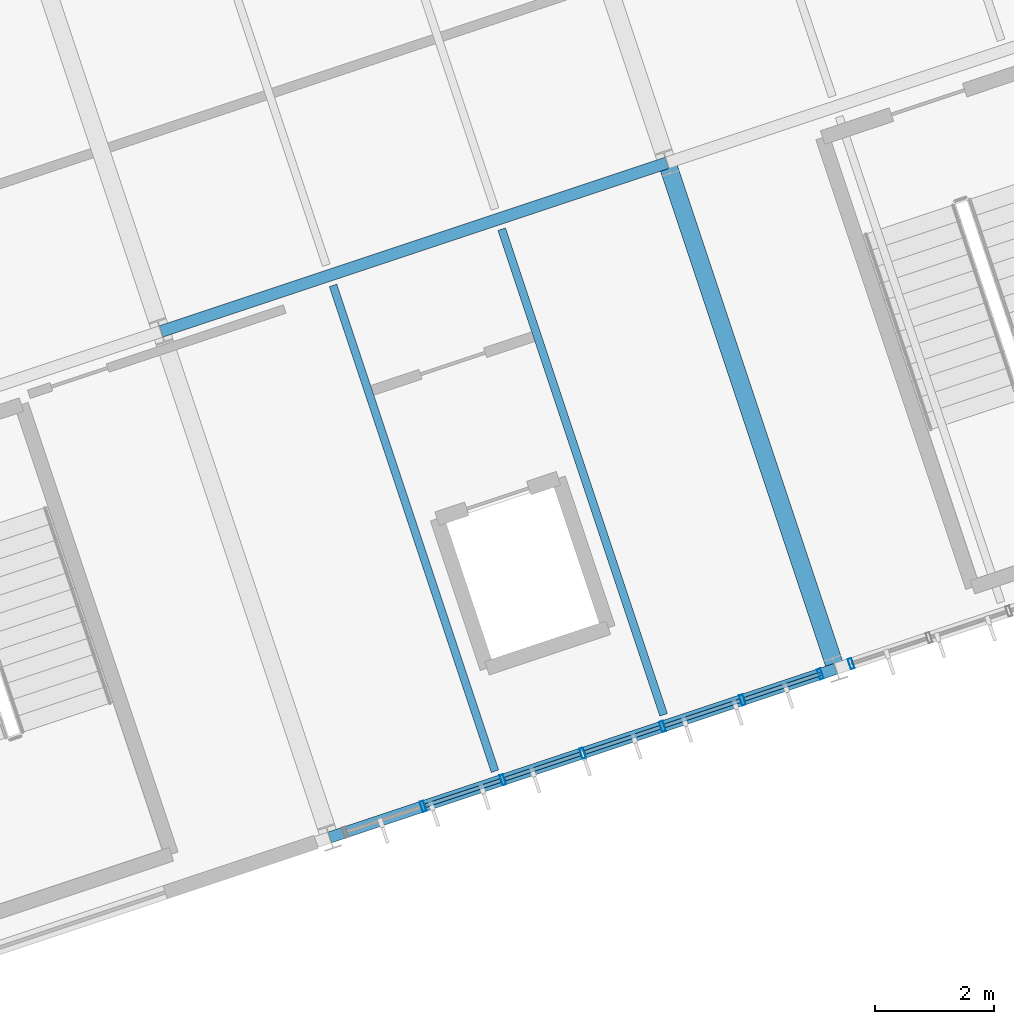
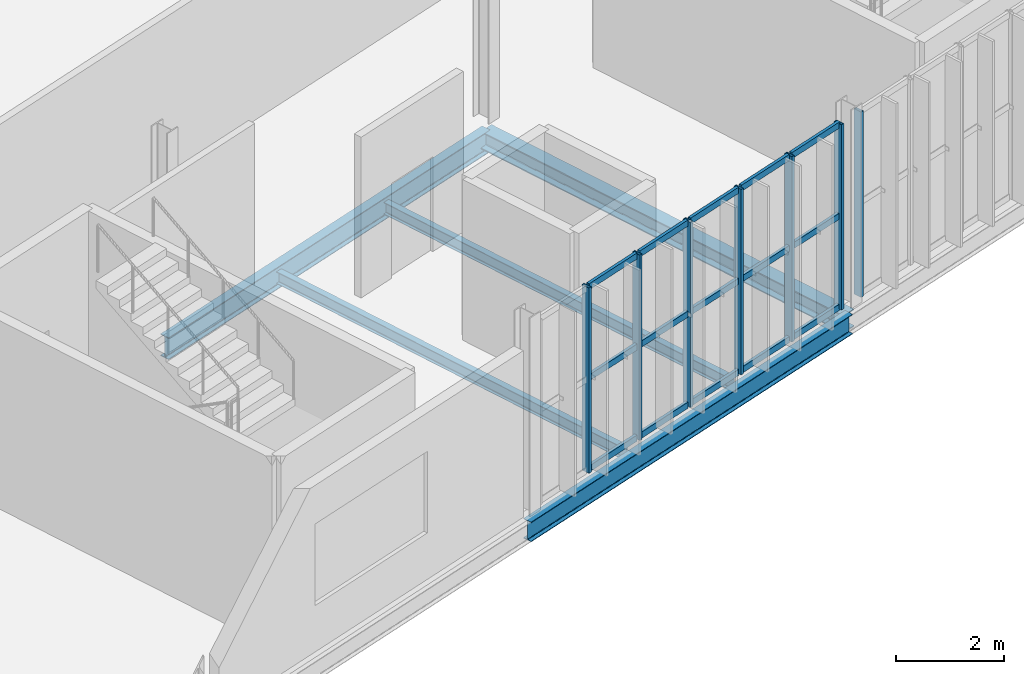
# One storey, part 31 of 152: 22 members, 5 beams, 2 elements without a shape of their own.
"""IFC4 building model written with IfcOpenShell, lengths in metres."""

from ifc_helpers import new_model, si_unit, derived_unit, direction, frame, origin, origin_2d, place, context, subcontext, project, spatial, hollow_rectangle, i_section, extrude, material, material_profile, profile_set, type_object, element, aggregate, save


model = new_model("IFC4")

# Units and contexts
model_context = context("Model", 3, precision=1e-05, world=origin(), true_north=direction((0.0, 1.0)))
body_context = subcontext(model_context, "Body", "Model", "MODEL_VIEW")
ifc_project = project(units=[si_unit("LENGTHUNIT", "METRE"), si_unit("AREAUNIT", "SQUARE_METRE"), si_unit("VOLUMEUNIT", "CUBIC_METRE"), si_unit("PLANEANGLEUNIT", "RADIAN"), si_unit("MASSUNIT", "GRAM", prefix="KILO"), si_unit("THERMODYNAMICTEMPERATUREUNIT", "KELVIN"), si_unit("TIMEUNIT", "SECOND"), derived_unit("THERMALTRANSMITTANCEUNIT", [(si_unit("MASSUNIT", "GRAM", prefix="KILO"), 1), (si_unit("THERMODYNAMICTEMPERATUREUNIT", "KELVIN"), -1), (si_unit("TIMEUNIT", "SECOND"), -3)])], contexts=[model_context])

# Site, building, storey
site_placement = place(None, origin())
site = spatial("IfcSite", under=ifc_project, at=site_placement, CompositionType="ELEMENT")
building_placement = place(site_placement, origin())
building = spatial("IfcBuilding", under=site, at=building_placement, Name="Cambertide Market Hall", CompositionType="ELEMENT")
storey_placement = place(building_placement, frame((0.0, 0.0, 5.39990234375)))
storey = spatial("IfcBuildingStorey", under=building, at=storey_placement, Name="L02", CompositionType="ELEMENT", Elevation=5.39990234375)

# Curtain wall, members
ifc_material_1 = material(Name="Marine Anodized Aluminium 6063-T6 AA25", Category="aluminium")
curtain_wall_type = type_object("IfcCurtainWallType", Name="Food Court Upper Glazed Facade", PredefinedType="USERDEFINED", material=ifc_material_1)
curtain_wall_1_placement = place(storey_placement, origin())
curtain_wall_1 = element("IfcCurtainWall", 1, at=curtain_wall_1_placement, inside=storey, type_object=curtain_wall_type, Name="Level 2 Curtain Wall CW-V3S-L02-3", ObjectType="UNITIZED CURTAIN WALL", PredefinedType="USERDEFINED")
ifc_material_2 = material(Name="Champagne Marine Anodized Aluminium 6063-T6 AA25", Category="aluminium")
ifc_material_profile_1 = material_profile(ifc_material_2, hollow_rectangle(XDim=0.06494140625, YDim=0.179931640625, WallThickness=0.00390625, at=origin_2d()), Name="ALU MULLION 65x180")
ifc_profile_set_1 = profile_set([ifc_material_profile_1], Name="Champagne Marine Anodized Aluminium 6063-T6 AA25")
member_type_1 = type_object("IfcMemberType", Name="Curtain Wall Mullion ALU MULLION 65x180", PredefinedType="MULLION", material=ifc_profile_set_1)
member_1_placement = place(storey_placement, frame((131.353515625, 20.451171875, 0.0), z_axis=(0.0, 0.0, 1.0), x_axis=(-0.948683286311, -0.316227801236, 0.0)))
member_1 = element("IfcMember", 2, at=member_1_placement, type_object=member_type_1, Name="CW-V3S-L02-3 Mullion 1", PredefinedType="MULLION", context=body_context, shape_type="SweptSolid", body=[
    extrude(hollow_rectangle(XDim=0.06494140625, YDim=0.179931640625, WallThickness=0.00390625, at=origin_2d()), origin(), (0.0, 0.0, 1.0), 4.2001953125),
])
member_2_placement = place(storey_placement, frame((130.03955078125, 20.01318359375, 0.0), z_axis=(0.0, 0.0, 1.0), x_axis=(-0.948683286311, -0.316227801236, 0.0)))
member_2 = element("IfcMember", 3, at=member_2_placement, type_object=member_type_1, Name="CW-V3S-L02-3 Mullion 2", PredefinedType="MULLION", context=body_context, shape_type="SweptSolid", body=[
    extrude(hollow_rectangle(XDim=0.06494140625, YDim=0.179931640625, WallThickness=0.00390625, at=origin_2d()), origin(), (0.0, 0.0, 1.0), 4.2001953125),
])
member_3_placement = place(storey_placement, frame((128.6923828125, 19.564208984375, 0.0), z_axis=(0.0, 0.0, 1.0), x_axis=(-0.948683286311, -0.316227801236, 0.0)))
member_3 = element("IfcMember", 4, at=member_3_placement, type_object=member_type_1, Name="CW-V3S-L02-3 Mullion 3", PredefinedType="MULLION", context=body_context, shape_type="SweptSolid", body=[
    extrude(hollow_rectangle(XDim=0.06494140625, YDim=0.179931640625, WallThickness=0.00390625, at=origin_2d()), origin(), (0.0, 0.0, 1.0), 4.2001953125),
])
member_4_placement = place(storey_placement, frame((127.345458984375, 19.115234375, 0.0), z_axis=(0.0, 0.0, 1.0), x_axis=(-0.948683286311, -0.316227801236, 0.0)))
member_4 = element("IfcMember", 5, at=member_4_placement, type_object=member_type_1, Name="CW-V3S-L02-3 Mullion 4", PredefinedType="MULLION", context=body_context, shape_type="SweptSolid", body=[
    extrude(hollow_rectangle(XDim=0.06494140625, YDim=0.179931640625, WallThickness=0.00390625, at=origin_2d()), origin(), (0.0, 0.0, 1.0), 4.2001953125),
])
member_5_placement = place(storey_placement, frame((125.998291015625, 18.666015625, 0.0), z_axis=(0.0, 0.0, 1.0), x_axis=(-0.948683286311, -0.316227801236, 0.0)))
member_5 = element("IfcMember", 6, at=member_5_placement, type_object=member_type_1, Name="CW-V3S-L02-3 Mullion 5", PredefinedType="MULLION", context=body_context, shape_type="SweptSolid", body=[
    extrude(hollow_rectangle(XDim=0.06494140625, YDim=0.179931640625, WallThickness=0.00390625, at=origin_2d()), origin(), (0.0, 0.0, 1.0), 4.2001953125),
])
member_6_placement = place(storey_placement, frame((124.651123046875, 18.217041015625, 0.0), z_axis=(0.0, 0.0, 1.0), x_axis=(-0.948683286311, -0.316227801236, 0.0)))
member_6 = element("IfcMember", 7, at=member_6_placement, type_object=member_type_1, Name="CW-V3S-L02-3 Mullion 6", PredefinedType="MULLION", context=body_context, shape_type="SweptSolid", body=[
    extrude(hollow_rectangle(XDim=0.06494140625, YDim=0.179931640625, WallThickness=0.00390625, at=origin_2d()), origin(), (0.0, 0.0, 1.0), 4.2001953125),
])

# Curtain wall, member
curtain_wall_2_placement = place(storey_placement, origin())
curtain_wall_2 = element("IfcCurtainWall", 8, at=curtain_wall_2_placement, inside=storey, type_object=curtain_wall_type, Name="Level 2 Curtain Wall CW-V3S-L02-4", ObjectType="UNITIZED CURTAIN WALL", PredefinedType="USERDEFINED")
member_7_placement = place(storey_placement, frame((131.875244140625, 20.625, 0.0), z_axis=(0.0, 0.0, 1.0), x_axis=(-0.948683286311, -0.316227801236, 0.0)))
member_7 = element("IfcMember", 9, at=member_7_placement, type_object=member_type_1, Name="CW-V3S-L02-4 Mullion 7", PredefinedType="MULLION", context=body_context, shape_type="SweptSolid", body=[
    extrude(hollow_rectangle(XDim=0.06494140625, YDim=0.179931640625, WallThickness=0.00390625, at=origin_2d()), origin(), (0.0, 0.0, 1.0), 4.2001953125),
])
aggregate(curtain_wall_2, [member_7])

# Member
ifc_material_3 = material(Name="Champagne Marine Anodized Aluminium 6063-T6 AA25", Category="aluminium")
ifc_material_profile_2 = material_profile(ifc_material_3, hollow_rectangle(XDim=0.06494140625, YDim=0.139892578125, WallThickness=0.00341796875, at=origin_2d()), Name="ALU TRANSOM 65x140")
ifc_profile_set_2 = profile_set([ifc_material_profile_2], Name="Champagne Marine Anodized Aluminium 6063-T6 AA25")
member_type_2 = type_object("IfcMemberType", Name="Curtain Wall Transom ALU TRANSOM 65x140", PredefinedType="USERDEFINED", material=ifc_profile_set_2)
member_8_placement = place(storey_placement, frame((131.348876953125, 20.44970703125, 0.03515625), z_axis=(-0.948665077442, -0.316282422593, 0.0), x_axis=(0.316282422593, -0.948665077442, 0.0)))
member_8 = element("IfcMember", 10, at=member_8_placement, type_object=member_type_2, Name="CW-V3S-L02-3 Transom 1-1", ObjectType="TRANSOM", PredefinedType="USERDEFINED", context=body_context, shape_type="SweptSolid", body=[
    extrude(hollow_rectangle(XDim=0.06494140625, YDim=0.139892578125, WallThickness=0.00341796875, at=origin_2d()), origin(), (0.0, 0.0, 1.0), 1.340087890625),
])

member_9_placement = place(storey_placement, frame((130.001708984375, 20.00048828125, 0.03515625), z_axis=(-0.948719731918, -0.316118443418, 0.0), x_axis=(0.316118443418, -0.948719731918, 0.0)))
member_9 = element("IfcMember", 11, at=member_9_placement, type_object=member_type_2, Name="CW-V3S-L02-3 Transom 1-2", ObjectType="TRANSOM", PredefinedType="USERDEFINED", context=body_context, shape_type="SweptSolid", body=[
    extrude(hollow_rectangle(XDim=0.06494140625, YDim=0.139892578125, WallThickness=0.00341796875, at=origin_2d()), origin(), (0.0, 0.0, 1.0), 1.33984375),
])

member_10_placement = place(storey_placement, frame((128.654541015625, 19.551513671875, 0.03515625), z_axis=(-0.948665077442, -0.316282422593, 0.0), x_axis=(0.316282422593, -0.948665077442, 0.0)))
member_10 = element("IfcMember", 12, at=member_10_placement, type_object=member_type_2, Name="CW-V3S-L02-3 Transom 1-3", ObjectType="TRANSOM", PredefinedType="USERDEFINED", context=body_context, shape_type="SweptSolid", body=[
    extrude(hollow_rectangle(XDim=0.06494140625, YDim=0.139892578125, WallThickness=0.00341796875, at=origin_2d()), origin(), (0.0, 0.0, 1.0), 1.340087890625),
])

member_11_placement = place(storey_placement, frame((127.307373046875, 19.1025390625, 0.03515625), z_axis=(-0.948665077442, -0.316282422593, 0.0), x_axis=(0.316282422593, -0.948665077442, 0.0)))
member_11 = element("IfcMember", 13, at=member_11_placement, type_object=member_type_2, Name="CW-V3S-L02-3 Transom 1-4", ObjectType="TRANSOM", PredefinedType="USERDEFINED", context=body_context, shape_type="SweptSolid", body=[
    extrude(hollow_rectangle(XDim=0.06494140625, YDim=0.139892578125, WallThickness=0.00341796875, at=origin_2d()), origin(), (0.0, 0.0, 1.0), 1.340087890625),
])

member_12_placement = place(storey_placement, frame((125.960205078125, 18.6533203125, 0.03515625), z_axis=(-0.948719731918, -0.316118443418, 0.0), x_axis=(0.316118443418, -0.948719731918, 0.0)))
member_12 = element("IfcMember", 14, at=member_12_placement, type_object=member_type_2, Name="CW-V3S-L02-3 Transom 1-5", ObjectType="TRANSOM", PredefinedType="USERDEFINED", context=body_context, shape_type="SweptSolid", body=[
    extrude(hollow_rectangle(XDim=0.06494140625, YDim=0.139892578125, WallThickness=0.00341796875, at=origin_2d()), origin(), (0.0, 0.0, 1.0), 1.33984375),
])

member_13_placement = place(storey_placement, frame((131.348876953125, 20.44970703125, 2.10009765625), z_axis=(-0.948665077442, -0.316282422593, 0.0), x_axis=(0.316282422593, -0.948665077442, 0.0)))
member_13 = element("IfcMember", 15, at=member_13_placement, type_object=member_type_2, Name="CW-V3S-L02-3 Transom 2-1", ObjectType="TRANSOM", PredefinedType="USERDEFINED", context=body_context, shape_type="SweptSolid", body=[
    extrude(hollow_rectangle(XDim=0.06494140625, YDim=0.139892578125, WallThickness=0.00341796875, at=origin_2d()), origin(), (0.0, 0.0, 1.0), 1.340087890625),
])

member_14_placement = place(storey_placement, frame((130.001708984375, 20.00048828125, 2.10009765625), z_axis=(-0.948719731918, -0.316118443418, 0.0), x_axis=(0.316118443418, -0.948719731918, 0.0)))
member_14 = element("IfcMember", 16, at=member_14_placement, type_object=member_type_2, Name="CW-V3S-L02-3 Transom 2-2", ObjectType="TRANSOM", PredefinedType="USERDEFINED", context=body_context, shape_type="SweptSolid", body=[
    extrude(hollow_rectangle(XDim=0.06494140625, YDim=0.139892578125, WallThickness=0.00341796875, at=origin_2d()), origin(), (0.0, 0.0, 1.0), 1.33984375),
])

member_15_placement = place(storey_placement, frame((128.654541015625, 19.551513671875, 2.10009765625), z_axis=(-0.948665077442, -0.316282422593, 0.0), x_axis=(0.316282422593, -0.948665077442, 0.0)))
member_15 = element("IfcMember", 17, at=member_15_placement, type_object=member_type_2, Name="CW-V3S-L02-3 Transom 2-3", ObjectType="TRANSOM", PredefinedType="USERDEFINED", context=body_context, shape_type="SweptSolid", body=[
    extrude(hollow_rectangle(XDim=0.06494140625, YDim=0.139892578125, WallThickness=0.00341796875, at=origin_2d()), origin(), (0.0, 0.0, 1.0), 1.340087890625),
])

member_16_placement = place(storey_placement, frame((127.307373046875, 19.1025390625, 2.10009765625), z_axis=(-0.948665077442, -0.316282422593, 0.0), x_axis=(0.316282422593, -0.948665077442, 0.0)))
member_16 = element("IfcMember", 18, at=member_16_placement, type_object=member_type_2, Name="CW-V3S-L02-3 Transom 2-4", ObjectType="TRANSOM", PredefinedType="USERDEFINED", context=body_context, shape_type="SweptSolid", body=[
    extrude(hollow_rectangle(XDim=0.06494140625, YDim=0.139892578125, WallThickness=0.00341796875, at=origin_2d()), origin(), (0.0, 0.0, 1.0), 1.340087890625),
])

member_17_placement = place(storey_placement, frame((125.960205078125, 18.6533203125, 2.10009765625), z_axis=(-0.948719731918, -0.316118443418, 0.0), x_axis=(0.316118443418, -0.948719731918, 0.0)))
member_17 = element("IfcMember", 19, at=member_17_placement, type_object=member_type_2, Name="CW-V3S-L02-3 Transom 2-5", ObjectType="TRANSOM", PredefinedType="USERDEFINED", context=body_context, shape_type="SweptSolid", body=[
    extrude(hollow_rectangle(XDim=0.06494140625, YDim=0.139892578125, WallThickness=0.00341796875, at=origin_2d()), origin(), (0.0, 0.0, 1.0), 1.33984375),
])

member_18_placement = place(storey_placement, frame((131.348876953125, 20.44970703125, 4.1650390625), z_axis=(-0.948665077442, -0.316282422593, 0.0), x_axis=(0.316282422593, -0.948665077442, 0.0)))
member_18 = element("IfcMember", 20, at=member_18_placement, type_object=member_type_2, Name="CW-V3S-L02-3 Transom 3-1", ObjectType="TRANSOM", PredefinedType="USERDEFINED", context=body_context, shape_type="SweptSolid", body=[
    extrude(hollow_rectangle(XDim=0.06494140625, YDim=0.139892578125, WallThickness=0.00341796875, at=origin_2d()), origin(), (0.0, 0.0, 1.0), 1.340087890625),
])

member_19_placement = place(storey_placement, frame((130.001708984375, 20.00048828125, 4.1650390625), z_axis=(-0.948719731918, -0.316118443418, 0.0), x_axis=(0.316118443418, -0.948719731918, 0.0)))
member_19 = element("IfcMember", 21, at=member_19_placement, type_object=member_type_2, Name="CW-V3S-L02-3 Transom 3-2", ObjectType="TRANSOM", PredefinedType="USERDEFINED", context=body_context, shape_type="SweptSolid", body=[
    extrude(hollow_rectangle(XDim=0.06494140625, YDim=0.139892578125, WallThickness=0.00341796875, at=origin_2d()), origin(), (0.0, 0.0, 1.0), 1.33984375),
])

member_20_placement = place(storey_placement, frame((128.654541015625, 19.551513671875, 4.1650390625), z_axis=(-0.948665077442, -0.316282422593, 0.0), x_axis=(0.316282422593, -0.948665077442, 0.0)))
member_20 = element("IfcMember", 22, at=member_20_placement, type_object=member_type_2, Name="CW-V3S-L02-3 Transom 3-3", ObjectType="TRANSOM", PredefinedType="USERDEFINED", context=body_context, shape_type="SweptSolid", body=[
    extrude(hollow_rectangle(XDim=0.06494140625, YDim=0.139892578125, WallThickness=0.00341796875, at=origin_2d()), origin(), (0.0, 0.0, 1.0), 1.340087890625),
])

member_21_placement = place(storey_placement, frame((127.307373046875, 19.1025390625, 4.1650390625), z_axis=(-0.948665077442, -0.316282422593, 0.0), x_axis=(0.316282422593, -0.948665077442, 0.0)))
member_21 = element("IfcMember", 23, at=member_21_placement, type_object=member_type_2, Name="CW-V3S-L02-3 Transom 3-4", ObjectType="TRANSOM", PredefinedType="USERDEFINED", context=body_context, shape_type="SweptSolid", body=[
    extrude(hollow_rectangle(XDim=0.06494140625, YDim=0.139892578125, WallThickness=0.00341796875, at=origin_2d()), origin(), (0.0, 0.0, 1.0), 1.340087890625),
])

member_22_placement = place(storey_placement, frame((125.960205078125, 18.6533203125, 4.1650390625), z_axis=(-0.948719731918, -0.316118443418, 0.0), x_axis=(0.316118443418, -0.948719731918, 0.0)))
member_22 = element("IfcMember", 24, at=member_22_placement, type_object=member_type_2, Name="CW-V3S-L02-3 Transom 3-5", ObjectType="TRANSOM", PredefinedType="USERDEFINED", context=body_context, shape_type="SweptSolid", body=[
    extrude(hollow_rectangle(XDim=0.06494140625, YDim=0.139892578125, WallThickness=0.00341796875, at=origin_2d()), origin(), (0.0, 0.0, 1.0), 1.33984375),
])

aggregate(curtain_wall_1, [member_1, member_2, member_3, member_4, member_5, member_6, member_8, member_9, member_10, member_11, member_12, member_13, member_14, member_15, member_16, member_17, member_18, member_19, member_20, member_21, member_22])

# Beams
ifc_material_4 = material(Name="Steel S355", Category="steel")
ifc_material_profile_3 = material_profile(ifc_material_4, i_section(OverallWidth=0.18994140625, OverallDepth=0.449951171875, WebThickness=0.009521484375, FlangeThickness=0.0146484375, FilletRadius=0.02099609375, at=origin_2d()), Name="IPE 450")
ifc_profile_set_3 = profile_set([ifc_material_profile_3], Name="Steel S355")
beam_type_1 = type_object("IfcBeamType", Name="Perimeter Spandrel Beam IPE 450", PredefinedType="SPANDREL", material=ifc_profile_set_3)
beam_1_placement = place(storey_placement, frame((123.076416015625, 17.692138671875, -0.474853515625), z_axis=(0.948686010717, 0.3162196279, 0.0), x_axis=(-0.3162196279, 0.948686010717, 0.0)))
element("IfcBeam", 25, at=beam_1_placement, inside=storey, type_object=beam_type_1, Name="Level 2 Spandrel BM-V3U-L02-3-1", PredefinedType="SPANDREL", context=body_context, shape_type="SweptSolid", body=[
    extrude(i_section(OverallWidth=0.18994140625, OverallDepth=0.449951171875, WebThickness=0.009521484375, FlangeThickness=0.0146484375, FilletRadius=0.02099609375, at=origin_2d()), origin(), (0.0, 0.0, 1.0), 9.0),
])
ifc_material_5 = material(Name="Steel S355", Category="steel")
ifc_material_profile_4 = material_profile(ifc_material_5, i_section(OverallWidth=0.300048828125, OverallDepth=0.39990234375, WebThickness=0.013427734375, FlangeThickness=0.02392578125, FilletRadius=0.027099609375, at=origin_2d()), Name="HEB 400")
ifc_profile_set_4 = profile_set([ifc_material_profile_4], Name="Steel S355")
beam_type_2 = type_object("IfcBeamType", Name="Steel Girder HEB 400", PredefinedType="BEAM", material=ifc_profile_set_4)
beam_2_placement = place(storey_placement, frame((131.614501953125, 20.5380859375, -0.449951171875), z_axis=(-0.316235903831, 0.948680585407, 0.0), x_axis=(-0.948680585407, -0.316235903831, 0.0)))
element("IfcBeam", 26, at=beam_2_placement, inside=storey, type_object=beam_type_2, Name="Level 2 Beam BM-V3V-L02-4-1", PredefinedType="BEAM", context=body_context, shape_type="SweptSolid", body=[
    extrude(i_section(OverallWidth=0.300048828125, OverallDepth=0.39990234375, WebThickness=0.013427734375, FlangeThickness=0.02392578125, FilletRadius=0.027099609375, at=origin_2d()), origin(), (0.0, 0.0, 1.0), 9.000244140625),
])
ifc_material_6 = material(Name="Steel S355", Category="steel")
ifc_material_profile_5 = material_profile(ifc_material_6, i_section(OverallWidth=0.199951171875, OverallDepth=0.5, WebThickness=0.01025390625, FlangeThickness=0.01611328125, FilletRadius=0.02099609375, at=origin_2d()), Name="IPE 500")
ifc_profile_set_5 = profile_set([ifc_material_profile_5], Name="Steel S355")
beam_type_3 = type_object("IfcBeamType", Name="Steel Girder IPE 500", PredefinedType="BEAM", material=ifc_profile_set_5)
beam_3_placement = place(storey_placement, frame((120.230224609375, 26.230224609375, -0.5), z_axis=(0.948677872554, 0.31624404204, 0.0), x_axis=(-0.31624404204, 0.948677872554, 0.0)))
element("IfcBeam", 27, at=beam_3_placement, inside=storey, type_object=beam_type_3, Name="Level 2 Beam BM-V3U-L02-3-2", PredefinedType="BEAM", context=body_context, shape_type="SweptSolid", body=[
    extrude(i_section(OverallWidth=0.199951171875, OverallDepth=0.5, WebThickness=0.01025390625, FlangeThickness=0.01611328125, FilletRadius=0.02099609375, at=origin_2d()), origin(), (0.0, 0.0, 1.0), 9.0),
])
ifc_material_7 = material(Name="Steel S275", Category="steel")
ifc_material_profile_6 = material_profile(ifc_material_7, i_section(OverallWidth=0.135009765625, OverallDepth=0.27001953125, WebThickness=0.006591796875, FlangeThickness=0.01025390625, FilletRadius=0.014892578125, at=origin_2d()), Name="IPE 270")
ifc_profile_set_6 = profile_set([ifc_material_profile_6], Name="Steel S275")
beam_type_4 = type_object("IfcBeamType", Name="Steel Secondary Joist IPE 270", PredefinedType="JOIST", material=ifc_profile_set_6)
for number, where, z_axis, x_axis, name in (
    (28, (125.865478515625, 18.8115234375, -0.385009765625), (-0.316227766017, 0.948683298051, 0.0), (-0.948683298051, -0.316227766017, 0.0), "Level 2 Joist JS-V3-L02-3-1-1"),
    (29, (128.71142578125, 19.76025390625, -0.385009765625), (-0.316227766017, 0.948683298051, 0.0), (-0.948683298051, -0.316227766017, 0.0), "Level 2 Joist JS-V3-L02-3-1-2"),
):
    element("IfcBeam", number, at=place(storey_placement, frame(where, z_axis=z_axis, x_axis=x_axis)), inside=storey, type_object=beam_type_4, Name=name, PredefinedType="JOIST", context=body_context, shape_type="SweptSolid", body=[
        extrude(i_section(OverallWidth=0.135009765625, OverallDepth=0.27001953125, WebThickness=0.006591796875, FlangeThickness=0.01025390625, FilletRadius=0.014892578125, at=origin_2d()), origin(), (0.0, 0.0, 1.0), 8.639892578125),
    ])

save(model, "model.ifc")
